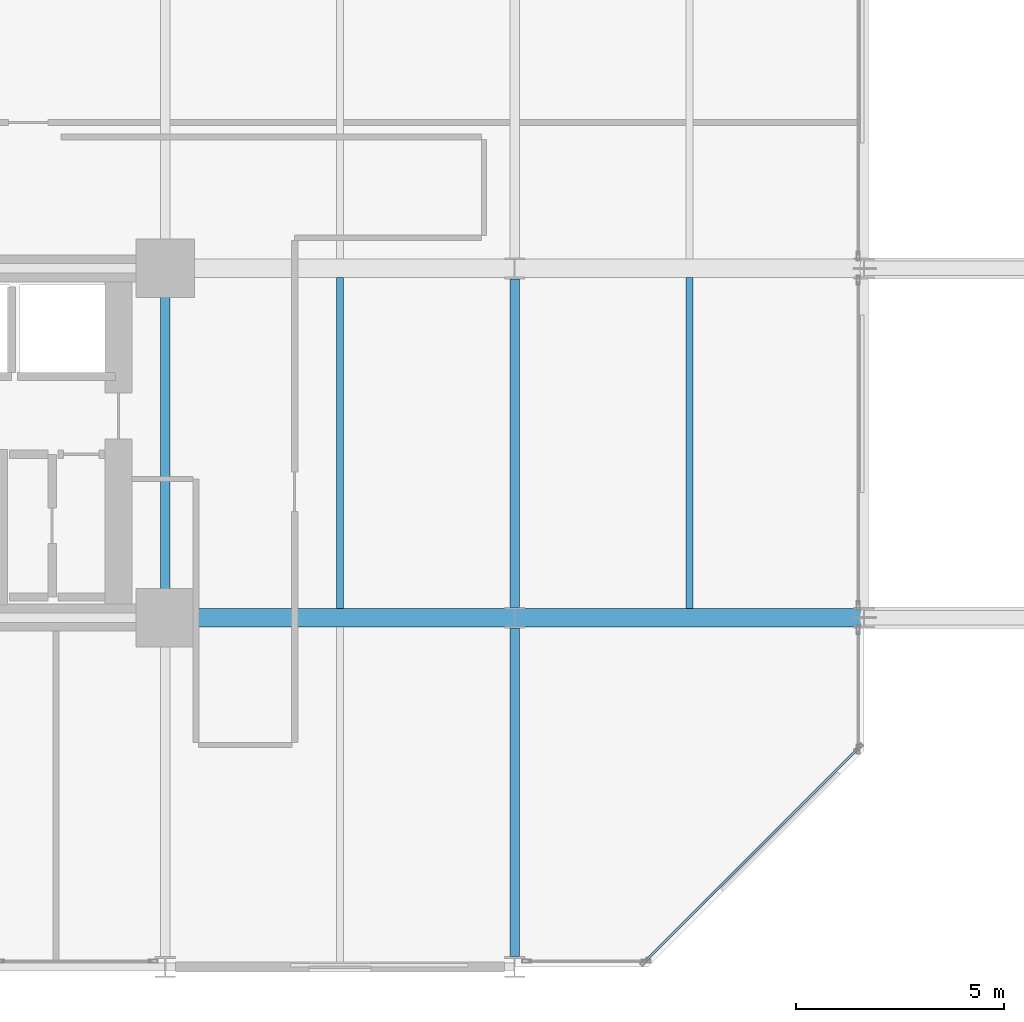
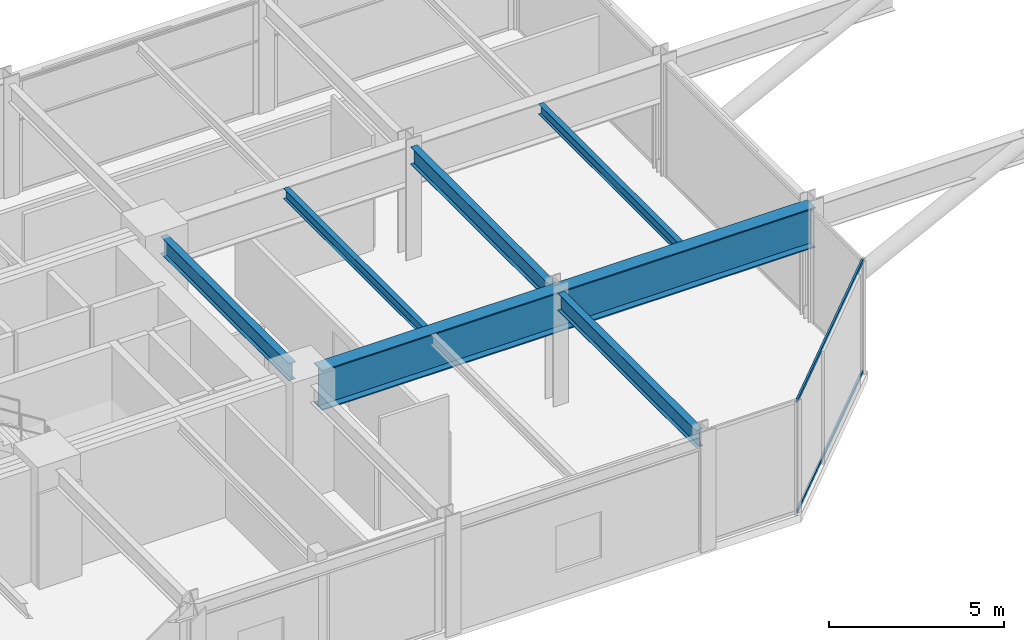
# One storey, part 10 of 25: 6 beams, 2 members, 1 element without a shape of its own.
"""IFC4 building model written with IfcOpenShell, lengths in metres."""

from ifc_helpers import new_model, si_unit, direction, frame, origin, origin_2d, place, context, subcontext, project, spatial, hollow_rectangle, i_section, extrude, material, layer, layer_set, material_profile, profile_set, type_object, element, aggregate, save


model = new_model("IFC4")

# Units and contexts
model_context = context("Model", 3, precision=1e-05, world=origin(), true_north=direction((0.0, 1.0)))
body_context = subcontext(model_context, "Body", "Model", "MODEL_VIEW")
ifc_project = project(units=[si_unit("LENGTHUNIT", "METRE"), si_unit("AREAUNIT", "SQUARE_METRE"), si_unit("VOLUMEUNIT", "CUBIC_METRE"), si_unit("PLANEANGLEUNIT", "RADIAN"), si_unit("MASSUNIT", "GRAM", prefix="KILO")], contexts=[model_context])

# Site, building, storey
site_placement = place(None, origin())
site = spatial("IfcSite", under=ifc_project, at=site_placement, CompositionType="ELEMENT")
building_placement = place(site_placement, origin())
building = spatial("IfcBuilding", under=site, at=building_placement, Name="Nerrivon Quay Data Exchange", CompositionType="ELEMENT")
storey_placement = place(building_placement, frame((0.0, 0.0, 58.39990234375)))
storey = spatial("IfcBuildingStorey", under=building, at=storey_placement, Name="L13", CompositionType="ELEMENT", Elevation=58.39990234375)

# Beams
ifc_material_1 = material(Name="Steel Grade 350", Category="steel")
ifc_material_profile_1 = material_profile(ifc_material_1, i_section(OverallWidth=0.22802734375, OverallDepth=0.60205078125, WebThickness=0.010498046875, FlangeThickness=0.014892578125, FilletRadius=0.013916015625, at=origin_2d()), Name="610UB101")
ifc_profile_set_1 = profile_set([ifc_material_profile_1], Name="Steel Grade 350")
beam_type_1 = type_object("IfcBeamType", Name="BM-G2-610UB101", PredefinedType="BEAM", material=ifc_profile_set_1)
beam_1_placement = place(storey_placement, frame((33.60009765625, 8.93994140625, 3.6240234375), z_axis=(0.0, 1.0, 0.0), x_axis=(-1.0, 0.0, 0.0)))
element("IfcBeam", 1, at=beam_1_placement, inside=storey, type_object=beam_type_1, Name="L13 NS Girder X=33.6 (8.4..16.8)", PredefinedType="BEAM", context=body_context, shape_type="SweptSolid", body=[
    extrude(i_section(OverallWidth=0.22802734375, OverallDepth=0.60205078125, WebThickness=0.010498046875, FlangeThickness=0.014892578125, FilletRadius=0.013916015625, at=origin_2d()), origin(), (0.0, 0.0, 1.0), 7.320068359375),
])
beam_2_placement = place(storey_placement, frame((42.0, 0.25, 3.6240234375), z_axis=(0.0, 1.0, 0.0), x_axis=(-1.0, 0.0, 0.0)))
element("IfcBeam", 2, at=beam_2_placement, inside=storey, type_object=beam_type_1, Name="L13 NS Girder X=42.0 (0.0..8.4)", PredefinedType="BEAM", context=body_context, shape_type="SweptSolid", body=[
    extrude(i_section(OverallWidth=0.22802734375, OverallDepth=0.60205078125, WebThickness=0.010498046875, FlangeThickness=0.014892578125, FilletRadius=0.013916015625, at=origin_2d()), origin(), (0.0, 0.0, 1.0), 7.89990234375),
])
beam_3_placement = place(storey_placement, frame((42.0, 8.64990234375, 3.6240234375), z_axis=(0.0, 1.0, 0.0), x_axis=(-1.0, 0.0, 0.0)))
element("IfcBeam", 3, at=beam_3_placement, inside=storey, type_object=beam_type_1, Name="L13 NS Girder X=42.0 (8.4..16.8)", PredefinedType="BEAM", context=body_context, shape_type="SweptSolid", body=[
    extrude(i_section(OverallWidth=0.22802734375, OverallDepth=0.60205078125, WebThickness=0.010498046875, FlangeThickness=0.014892578125, FilletRadius=0.013916015625, at=origin_2d()), origin(), (0.0, 0.0, 1.0), 7.900146484375),
])
ifc_material_profile_2 = material_profile(ifc_material_1, i_section(OverallWidth=0.172119140625, OverallDepth=0.35888671875, WebThickness=0.008056640625, FlangeThickness=0.012939453125, FilletRadius=0.011474609375, at=origin_2d()), Name="360UB56.7")
ifc_profile_set_2 = profile_set([ifc_material_profile_2], Name="Steel Grade 350")
beam_type_2 = type_object("IfcBeamType", Name="BM-J3-360UB57", PredefinedType="JOIST", material=ifc_profile_set_2)
for number, where, z_axis, x_axis, name in (
    (4, (37.800048828125, 8.625, 3.74560546875), (0.0, 1.0, 0.0), (-1.0, 0.0, 0.0), "L13 Secondary Joist X=37.8 (8.4..16.8)"),
    (5, (46.199951171875, 8.625, 3.74560546875), (0.0, 1.0, 0.0), (-1.0, 0.0, 0.0), "L13 Secondary Joist X=46.2 (8.4..16.8)"),
):
    element("IfcBeam", number, at=place(storey_placement, frame(where, z_axis=z_axis, x_axis=x_axis)), inside=storey, type_object=beam_type_2, Name=name, PredefinedType="JOIST", context=body_context, shape_type="SweptSolid", body=[
        extrude(i_section(OverallWidth=0.172119140625, OverallDepth=0.35888671875, WebThickness=0.008056640625, FlangeThickness=0.012939453125, FilletRadius=0.011474609375, at=origin_2d()), origin(), (0.0, 0.0, 1.0), 7.949951171875),
    ])
ifc_material_profile_3 = material_profile(ifc_material_1, i_section(OverallWidth=0.449951171875, OverallDepth=1.39990234375, WebThickness=0.02001953125, FlangeThickness=0.0400390625, at=origin_2d()), Name="1400WG455")
ifc_profile_set_3 = profile_set([ifc_material_profile_3], Name="Steel Grade 350")
beam_type_3 = type_object("IfcBeamType", Name="BM-TG1-1400WG", PredefinedType="USERDEFINED", material=ifc_profile_set_3)
beam_4_placement = place(storey_placement, frame((34.139892578125, 8.39990234375, 3.22509765625), z_axis=(1.0, 0.0, 0.0), x_axis=(0.0, 1.0, 0.0)))
element("IfcBeam", 6, at=beam_4_placement, inside=storey, type_object=beam_type_3, Name="L13 EW Girder Y=8.4 (33.6..42.0)", ObjectType="TRANSFER", PredefinedType="USERDEFINED", context=body_context, shape_type="SweptSolid", body=[
    extrude(i_section(OverallWidth=0.449951171875, OverallDepth=1.39990234375, WebThickness=0.02001953125, FlangeThickness=0.0400390625, at=origin_2d()), origin(), (0.0, 0.0, 1.0), 16.24609375),
])

# Curtain wall, members
ifc_material_2 = material(Name="Anodised aluminium 6063-T6", Category="aluminium")
ifc_layer = layer(ifc_material_2, 0.219970703125)
ifc_layer_set = layer_set([ifc_layer], Name="Anodised aluminium 6063-T6")
curtain_wall_type = type_object("IfcCurtainWallType", Name="CW-SYS-01", PredefinedType="NOTDEFINED", material=ifc_layer_set)
curtain_wall_placement = place(storey_placement, origin())
curtain_wall = element("IfcCurtainWall", 7, at=curtain_wall_placement, inside=storey, type_object=curtain_wall_type, Name="L13 Unitised Curtain Wall 1", PredefinedType="NOTDEFINED")
ifc_material_profile_4 = material_profile(ifc_material_2, hollow_rectangle(XDim=0.06005859375, YDim=0.1201171875, WallThickness=0.003173828125, at=origin_2d()), Name="ALU-TRAN-120x60")
ifc_profile_set_4 = profile_set([ifc_material_profile_4], Name="Anodised aluminium 6063-T6")
member_type = type_object("IfcMemberType", Name="CWT-120x60", PredefinedType="USERDEFINED", material=ifc_profile_set_4)
member_1_placement = place(storey_placement, frame((50.248046875, 5.245849609375, 0.03271484375), z_axis=(-0.707123726196, -0.707089835771, 0.0), x_axis=(0.707089835771, -0.707123726196, 0.0)))
member_1 = element("IfcMember", 8, at=member_1_placement, type_object=member_type, Name="CW01 transom 1.1", ObjectType="TRANSOM", PredefinedType="USERDEFINED", context=body_context, shape_type="SweptSolid", body=[
    extrude(hollow_rectangle(XDim=0.06005859375, YDim=0.1201171875, WallThickness=0.003173828125, at=origin_2d()), origin(), (0.0, 0.0, 1.0), 7.203857421875),
])
member_2_placement = place(storey_placement, frame((50.248046875, 5.245849609375, 3.892578125), z_axis=(-0.707123726196, -0.707089835771, 0.0), x_axis=(0.707089835771, -0.707123726196, 0.0)))
member_2 = element("IfcMember", 9, at=member_2_placement, type_object=member_type, Name="CW01 transom 1.2", ObjectType="TRANSOM", PredefinedType="USERDEFINED", context=body_context, shape_type="SweptSolid", body=[
    extrude(hollow_rectangle(XDim=0.06005859375, YDim=0.1201171875, WallThickness=0.003173828125, at=origin_2d()), origin(), (0.0, 0.0, 1.0), 7.203857421875),
])
aggregate(curtain_wall, [member_1, member_2])

save(model, "model.ifc")
